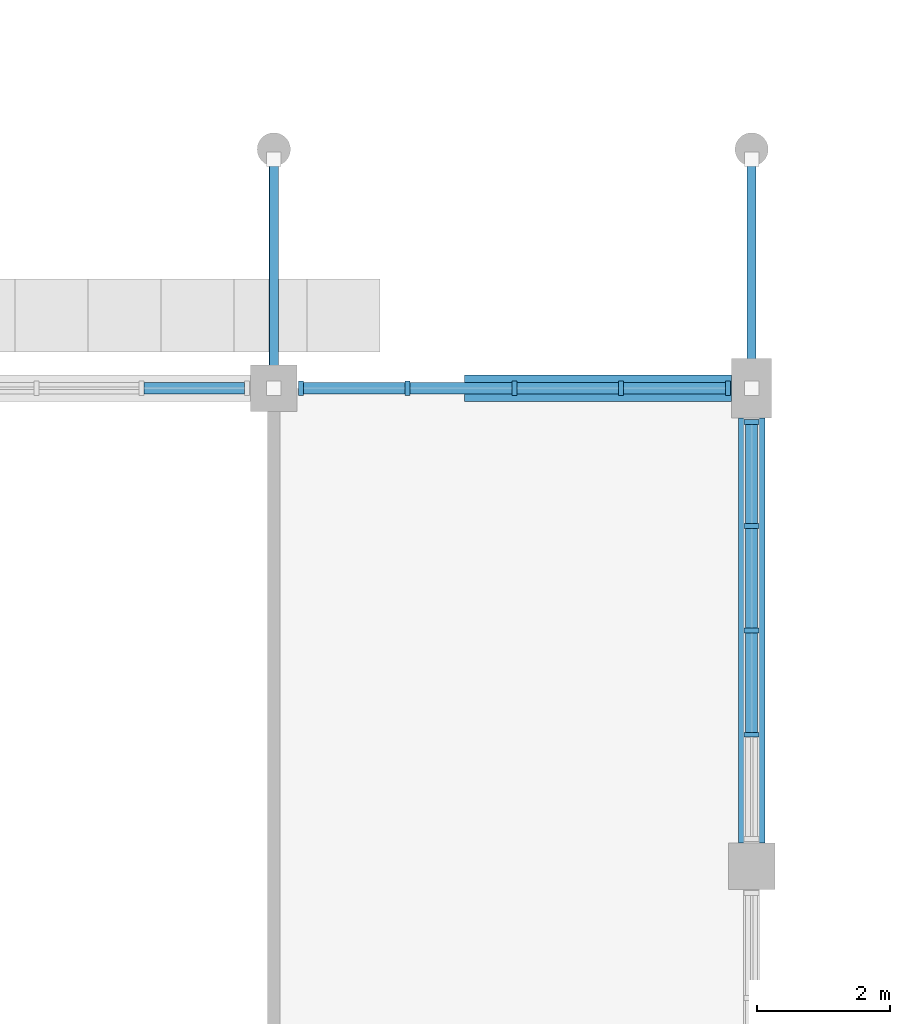
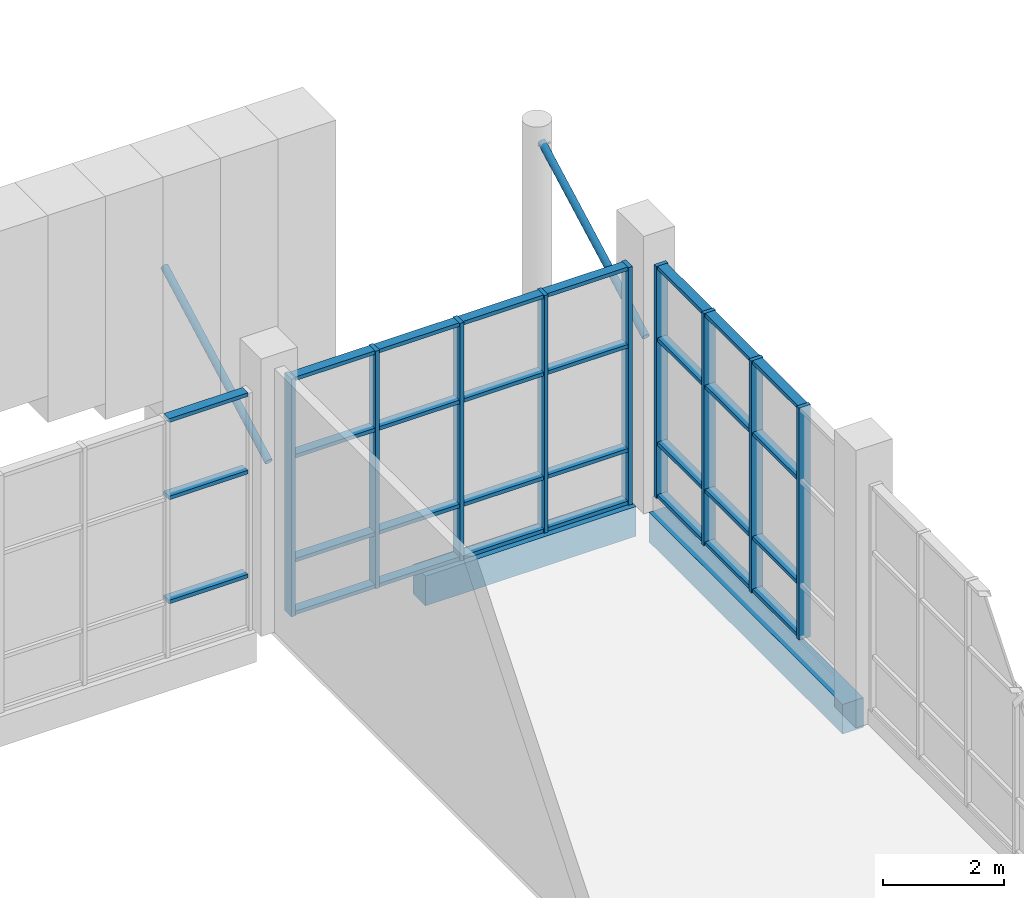
# One storey, part 28 of 80: 42 members, 2 beams, 3 elements without a shape of their own.
"""IFC4 building model written with IfcOpenShell, lengths in metres."""

from ifc_helpers import new_model, si_unit, direction, frame, origin, origin_2d, place, context, subcontext, project, spatial, rectangle, hollow_circle, extrude, material, material_profile, profile_set, type_object, element, aggregate, save


model = new_model("IFC4")

# Units and contexts
model_context = context("Model", 3, precision=1e-05, world=origin(), true_north=direction((0.0, 1.0)))
body_context = subcontext(model_context, "Body", "Model", "MODEL_VIEW")
ifc_project = project(units=[si_unit("LENGTHUNIT", "METRE"), si_unit("AREAUNIT", "SQUARE_METRE"), si_unit("VOLUMEUNIT", "CUBIC_METRE"), si_unit("PLANEANGLEUNIT", "RADIAN"), si_unit("MASSUNIT", "GRAM", prefix="KILO")], contexts=[model_context])

# Site, building, storey
site_placement = place(None, origin())
site = spatial("IfcSite", under=ifc_project, at=site_placement, CompositionType="ELEMENT")
building_placement = place(site_placement, origin())
building = spatial("IfcBuilding", under=site, at=building_placement, Name="Sardonyx Promenade Sports Hall", CompositionType="ELEMENT")
storey_placement = place(building_placement, frame((0.0, 0.0, 5.60009765625)))
storey = spatial("IfcBuildingStorey", under=building, at=storey_placement, Name="L01", CompositionType="ELEMENT", Elevation=5.60009765625)

# Beams
ifc_material_1 = material(Name="Concrete C40/50", Category="concrete")
ifc_material_profile_1 = material_profile(ifc_material_1, rectangle(XDim=0.39990234375, YDim=0.60009765625, at=origin_2d()))
ifc_profile_set_1 = profile_set([ifc_material_profile_1], Name="Concrete C40/50")
beam_type = type_object("IfcBeamType", Name="Bm_Spandrel_RC600", PredefinedType="SPANDREL", material=ifc_profile_set_1)
beam_1_placement = place(storey_placement, frame((103.675048828125, 100.800048828125, -0.300048828125), z_axis=(1.0, 0.0, 0.0), x_axis=(0.0, 1.0, 0.0)))
element("IfcBeam", 1, at=beam_1_placement, inside=storey, type_object=beam_type, Name="Beam SPB1 L01 #290", PredefinedType="SPANDREL", context=body_context, shape_type="SweptSolid", body=[
    extrude(rectangle(XDim=0.39990234375, YDim=0.60009765625, at=origin_2d()), origin(), (0.0, 0.0, 1.0), 4.02490234375),
])
beam_2_placement = place(storey_placement, frame((108.0, 93.949951171875, -0.300048828125), z_axis=(0.0, 1.0, 0.0), x_axis=(-1.0, 0.0, 0.0)))
element("IfcBeam", 2, at=beam_2_placement, inside=storey, type_object=beam_type, Name="Beam SPB1 L01 #391", PredefinedType="SPANDREL", context=body_context, shape_type="SweptSolid", body=[
    extrude(rectangle(XDim=0.39990234375, YDim=0.60009765625, at=origin_2d()), origin(), (0.0, 0.0, 1.0), 6.400146484375),
])

# Curtain wall, members
ifc_material_2 = material(Name="Aluminium 6063-T6", Category="aluminium")
curtain_wall_type = type_object("IfcCurtainWallType", Name="CW_Foyer_L01_Tall", PredefinedType="USERDEFINED", material=ifc_material_2)
curtain_wall_1_placement = place(storey_placement, origin())
curtain_wall_1 = element("IfcCurtainWall", 3, at=curtain_wall_1_placement, inside=storey, type_object=curtain_wall_type, Name="Curtain wall CW02 cw:L01:092", ObjectType="CURTAIN WALL", PredefinedType="USERDEFINED")
ifc_material_3 = material(Name="Aluminium 6063-T6", Category="aluminium")
ifc_material_profile_2 = material_profile(ifc_material_3, rectangle(XDim=0.074951171875, YDim=0.22509765625, at=origin_2d()))
ifc_profile_set_2 = profile_set([ifc_material_profile_2], Name="Aluminium 6063-T6")
member_type_1 = type_object("IfcMemberType", Name="CW_Mull_225", PredefinedType="MULLION", material=ifc_profile_set_2)
member_1_placement = place(storey_placement, frame((101.20751953125, 100.800048828125, 0.0), z_axis=(0.0, 0.0, 1.0), x_axis=(1.0, 0.0, 0.0)))
member_1 = element("IfcMember", 4, at=member_1_placement, type_object=member_type_1, Name="Mullion CM04 cw:L01:092 #1", PredefinedType="MULLION", context=body_context, shape_type="SweptSolid", body=[
    extrude(rectangle(XDim=0.074951171875, YDim=0.22509765625, at=origin_2d()), origin(), (0.0, 0.0, 1.0), 4.7998046875),
])
member_2_placement = place(storey_placement, frame((102.816162109375, 100.800048828125, 0.0), z_axis=(0.0, 0.0, 1.0), x_axis=(1.0, 0.0, 0.0)))
member_2 = element("IfcMember", 5, at=member_2_placement, type_object=member_type_1, Name="Mullion CM04 cw:L01:092 #2", PredefinedType="MULLION", context=body_context, shape_type="SweptSolid", body=[
    extrude(rectangle(XDim=0.074951171875, YDim=0.22509765625, at=origin_2d()), origin(), (0.0, 0.0, 1.0), 4.7998046875),
])
member_3_placement = place(storey_placement, frame((104.425048828125, 100.800048828125, 0.0), z_axis=(0.0, 0.0, 1.0), x_axis=(1.0, 0.0, 0.0)))
member_3 = element("IfcMember", 6, at=member_3_placement, type_object=member_type_1, Name="Mullion CM04 cw:L01:092 #3", PredefinedType="MULLION", context=body_context, shape_type="SweptSolid", body=[
    extrude(rectangle(XDim=0.074951171875, YDim=0.22509765625, at=origin_2d()), origin(), (0.0, 0.0, 1.0), 4.7998046875),
])
member_4_placement = place(storey_placement, frame((106.03369140625, 100.800048828125, 0.0), z_axis=(0.0, 0.0, 1.0), x_axis=(1.0, 0.0, 0.0)))
member_4 = element("IfcMember", 7, at=member_4_placement, type_object=member_type_1, Name="Mullion CM04 cw:L01:092 #4", PredefinedType="MULLION", context=body_context, shape_type="SweptSolid", body=[
    extrude(rectangle(XDim=0.074951171875, YDim=0.22509765625, at=origin_2d()), origin(), (0.0, 0.0, 1.0), 4.7998046875),
])
member_5_placement = place(storey_placement, frame((107.642578125, 100.800048828125, 0.0), z_axis=(0.0, 0.0, 1.0), x_axis=(1.0, 0.0, 0.0)))
member_5 = element("IfcMember", 8, at=member_5_placement, type_object=member_type_1, Name="Mullion CM04 cw:L01:092 #5", PredefinedType="MULLION", context=body_context, shape_type="SweptSolid", body=[
    extrude(rectangle(XDim=0.074951171875, YDim=0.22509765625, at=origin_2d()), origin(), (0.0, 0.0, 1.0), 4.7998046875),
])

curtain_wall_2_placement = place(storey_placement, origin())
curtain_wall_2 = element("IfcCurtainWall", 9, at=curtain_wall_2_placement, inside=storey, type_object=curtain_wall_type, Name="Curtain wall CW02 cw:L01:095", ObjectType="CURTAIN WALL", PredefinedType="USERDEFINED")
member_6_placement = place(storey_placement, frame((108.0, 100.29248046875, 0.2998046875), z_axis=(0.0, 0.0, 1.0), x_axis=(0.0, -1.0, 0.0)))
member_6 = element("IfcMember", 10, at=member_6_placement, type_object=member_type_1, Name="Mullion CM04 cw:L01:095 #1", PredefinedType="MULLION", context=body_context, shape_type="SweptSolid", body=[
    extrude(rectangle(XDim=0.074951171875, YDim=0.22509765625, at=origin_2d()), origin(), (0.0, 0.0, 1.0), 4.68505859375),
])
member_7_placement = place(storey_placement, frame((108.0, 98.72119140625, 0.2998046875), z_axis=(0.0, 0.0, 1.0), x_axis=(0.0, -1.0, 0.0)))
member_7 = element("IfcMember", 11, at=member_7_placement, type_object=member_type_1, Name="Mullion CM04 cw:L01:095 #2", PredefinedType="MULLION", context=body_context, shape_type="SweptSolid", body=[
    extrude(rectangle(XDim=0.074951171875, YDim=0.22509765625, at=origin_2d()), origin(), (0.0, 0.0, 1.0), 4.68505859375),
])
member_8_placement = place(storey_placement, frame((108.0, 97.14990234375, 0.2998046875), z_axis=(0.0, 0.0, 1.0), x_axis=(0.0, -1.0, 0.0)))
member_8 = element("IfcMember", 12, at=member_8_placement, type_object=member_type_1, Name="Mullion CM04 cw:L01:095 #3", PredefinedType="MULLION", context=body_context, shape_type="SweptSolid", body=[
    extrude(rectangle(XDim=0.074951171875, YDim=0.22509765625, at=origin_2d()), origin(), (0.0, 0.0, 1.0), 4.68505859375),
])
member_9_placement = place(storey_placement, frame((108.0, 95.578857421875, 0.2998046875), z_axis=(0.0, 0.0, 1.0), x_axis=(0.0, -1.0, 0.0)))
member_9 = element("IfcMember", 13, at=member_9_placement, type_object=member_type_1, Name="Mullion CM04 cw:L01:095 #4", PredefinedType="MULLION", context=body_context, shape_type="SweptSolid", body=[
    extrude(rectangle(XDim=0.074951171875, YDim=0.22509765625, at=origin_2d()), origin(), (0.0, 0.0, 1.0), 4.68505859375),
])

curtain_wall_3_placement = place(storey_placement, origin())
curtain_wall_3 = element("IfcCurtainWall", 14, at=curtain_wall_3_placement, inside=storey, type_object=curtain_wall_type, Name="Curtain wall CW02 cw:L01:091", ObjectType="CURTAIN WALL", PredefinedType="USERDEFINED")
ifc_material_4 = material(Name="Aluminium 6063-T6", Category="aluminium")
ifc_material_profile_3 = material_profile(ifc_material_4, rectangle(XDim=0.074951171875, YDim=0.179931640625, at=origin_2d()))
ifc_profile_set_3 = profile_set([ifc_material_profile_3], Name="Aluminium 6063-T6")
member_type_2 = type_object("IfcMemberType", Name="CW_Tran_180", PredefinedType="USERDEFINED", material=ifc_profile_set_3)
member_10_placement = place(storey_placement, frame((98.84619140625, 100.800048828125, 1.099853515625), z_axis=(1.0, 0.0, 0.0), x_axis=(0.0, 0.0, 1.0)))
member_10 = element("IfcMember", 15, at=member_10_placement, type_object=member_type_2, Name="Transom CT04 cw:L01:091 #14", ObjectType="TRANSOM", PredefinedType="USERDEFINED", context=body_context, shape_type="SweptSolid", body=[
    extrude(rectangle(XDim=0.074951171875, YDim=0.179931640625, at=origin_2d()), origin(), (0.0, 0.0, 1.0), 1.5087890625),
])
member_11_placement = place(storey_placement, frame((98.84619140625, 100.800048828125, 3.199951171875), z_axis=(1.0, 0.0, 0.0), x_axis=(0.0, 0.0, 1.0)))
member_11 = element("IfcMember", 16, at=member_11_placement, type_object=member_type_2, Name="Transom CT04 cw:L01:091 #15", ObjectType="TRANSOM", PredefinedType="USERDEFINED", context=body_context, shape_type="SweptSolid", body=[
    extrude(rectangle(XDim=0.074951171875, YDim=0.179931640625, at=origin_2d()), origin(), (0.0, 0.0, 1.0), 1.5087890625),
])
member_12_placement = place(storey_placement, frame((98.84619140625, 100.800048828125, 4.762451171875), z_axis=(1.0, 0.0, 0.0), x_axis=(0.0, 0.0, 1.0)))
member_12 = element("IfcMember", 17, at=member_12_placement, type_object=member_type_2, Name="Transom CT04 cw:L01:091 #16", ObjectType="TRANSOM", PredefinedType="USERDEFINED", context=body_context, shape_type="SweptSolid", body=[
    extrude(rectangle(XDim=0.074951171875, YDim=0.179931640625, at=origin_2d()), origin(), (0.0, 0.0, 1.0), 1.5087890625),
])
aggregate(curtain_wall_3, [member_10, member_11, member_12])

# Member
member_13_placement = place(storey_placement, frame((101.2451171875, 100.800048828125, 0.037353515625), z_axis=(1.0, 0.0, 0.0), x_axis=(0.0, 0.0, 1.0)))
member_13 = element("IfcMember", 18, at=member_13_placement, type_object=member_type_2, Name="Transom CT04 cw:L01:092 #1", ObjectType="TRANSOM", PredefinedType="USERDEFINED", context=body_context, shape_type="SweptSolid", body=[
    extrude(rectangle(XDim=0.074951171875, YDim=0.179931640625, at=origin_2d()), origin(), (0.0, 0.0, 1.0), 1.53369140625),
])

member_14_placement = place(storey_placement, frame((101.2451171875, 100.800048828125, 1.099853515625), z_axis=(1.0, 0.0, 0.0), x_axis=(0.0, 0.0, 1.0)))
member_14 = element("IfcMember", 19, at=member_14_placement, type_object=member_type_2, Name="Transom CT04 cw:L01:092 #2", ObjectType="TRANSOM", PredefinedType="USERDEFINED", context=body_context, shape_type="SweptSolid", body=[
    extrude(rectangle(XDim=0.074951171875, YDim=0.179931640625, at=origin_2d()), origin(), (0.0, 0.0, 1.0), 1.53369140625),
])

member_15_placement = place(storey_placement, frame((101.2451171875, 100.800048828125, 3.199951171875), z_axis=(1.0, 0.0, 0.0), x_axis=(0.0, 0.0, 1.0)))
member_15 = element("IfcMember", 20, at=member_15_placement, type_object=member_type_2, Name="Transom CT04 cw:L01:092 #3", ObjectType="TRANSOM", PredefinedType="USERDEFINED", context=body_context, shape_type="SweptSolid", body=[
    extrude(rectangle(XDim=0.074951171875, YDim=0.179931640625, at=origin_2d()), origin(), (0.0, 0.0, 1.0), 1.53369140625),
])

member_16_placement = place(storey_placement, frame((101.2451171875, 100.800048828125, 4.762451171875), z_axis=(1.0, 0.0, 0.0), x_axis=(0.0, 0.0, 1.0)))
member_16 = element("IfcMember", 21, at=member_16_placement, type_object=member_type_2, Name="Transom CT04 cw:L01:092 #4", ObjectType="TRANSOM", PredefinedType="USERDEFINED", context=body_context, shape_type="SweptSolid", body=[
    extrude(rectangle(XDim=0.074951171875, YDim=0.179931640625, at=origin_2d()), origin(), (0.0, 0.0, 1.0), 1.53369140625),
])

member_17_placement = place(storey_placement, frame((102.853759765625, 100.800048828125, 0.037353515625), z_axis=(1.0, 0.0, 0.0), x_axis=(0.0, 0.0, 1.0)))
member_17 = element("IfcMember", 22, at=member_17_placement, type_object=member_type_2, Name="Transom CT04 cw:L01:092 #5", ObjectType="TRANSOM", PredefinedType="USERDEFINED", context=body_context, shape_type="SweptSolid", body=[
    extrude(rectangle(XDim=0.074951171875, YDim=0.179931640625, at=origin_2d()), origin(), (0.0, 0.0, 1.0), 1.53369140625),
])

member_18_placement = place(storey_placement, frame((102.853759765625, 100.800048828125, 1.099853515625), z_axis=(1.0, 0.0, 0.0), x_axis=(0.0, 0.0, 1.0)))
member_18 = element("IfcMember", 23, at=member_18_placement, type_object=member_type_2, Name="Transom CT04 cw:L01:092 #6", ObjectType="TRANSOM", PredefinedType="USERDEFINED", context=body_context, shape_type="SweptSolid", body=[
    extrude(rectangle(XDim=0.074951171875, YDim=0.179931640625, at=origin_2d()), origin(), (0.0, 0.0, 1.0), 1.53369140625),
])

member_19_placement = place(storey_placement, frame((102.853759765625, 100.800048828125, 3.199951171875), z_axis=(1.0, 0.0, 0.0), x_axis=(0.0, 0.0, 1.0)))
member_19 = element("IfcMember", 24, at=member_19_placement, type_object=member_type_2, Name="Transom CT04 cw:L01:092 #7", ObjectType="TRANSOM", PredefinedType="USERDEFINED", context=body_context, shape_type="SweptSolid", body=[
    extrude(rectangle(XDim=0.074951171875, YDim=0.179931640625, at=origin_2d()), origin(), (0.0, 0.0, 1.0), 1.53369140625),
])

member_20_placement = place(storey_placement, frame((102.853759765625, 100.800048828125, 4.762451171875), z_axis=(1.0, 0.0, 0.0), x_axis=(0.0, 0.0, 1.0)))
member_20 = element("IfcMember", 25, at=member_20_placement, type_object=member_type_2, Name="Transom CT04 cw:L01:092 #8", ObjectType="TRANSOM", PredefinedType="USERDEFINED", context=body_context, shape_type="SweptSolid", body=[
    extrude(rectangle(XDim=0.074951171875, YDim=0.179931640625, at=origin_2d()), origin(), (0.0, 0.0, 1.0), 1.53369140625),
])

member_21_placement = place(storey_placement, frame((104.46240234375, 100.800048828125, 0.037353515625), z_axis=(1.0, 0.0, 0.0), x_axis=(0.0, 0.0, 1.0)))
member_21 = element("IfcMember", 26, at=member_21_placement, type_object=member_type_2, Name="Transom CT04 cw:L01:092 #9", ObjectType="TRANSOM", PredefinedType="USERDEFINED", context=body_context, shape_type="SweptSolid", body=[
    extrude(rectangle(XDim=0.074951171875, YDim=0.179931640625, at=origin_2d()), origin(), (0.0, 0.0, 1.0), 1.533935546875),
])

member_22_placement = place(storey_placement, frame((104.46240234375, 100.800048828125, 1.099853515625), z_axis=(1.0, 0.0, 0.0), x_axis=(0.0, 0.0, 1.0)))
member_22 = element("IfcMember", 27, at=member_22_placement, type_object=member_type_2, Name="Transom CT04 cw:L01:092 #10", ObjectType="TRANSOM", PredefinedType="USERDEFINED", context=body_context, shape_type="SweptSolid", body=[
    extrude(rectangle(XDim=0.074951171875, YDim=0.179931640625, at=origin_2d()), origin(), (0.0, 0.0, 1.0), 1.533935546875),
])

member_23_placement = place(storey_placement, frame((104.46240234375, 100.800048828125, 3.199951171875), z_axis=(1.0, 0.0, 0.0), x_axis=(0.0, 0.0, 1.0)))
member_23 = element("IfcMember", 28, at=member_23_placement, type_object=member_type_2, Name="Transom CT04 cw:L01:092 #11", ObjectType="TRANSOM", PredefinedType="USERDEFINED", context=body_context, shape_type="SweptSolid", body=[
    extrude(rectangle(XDim=0.074951171875, YDim=0.179931640625, at=origin_2d()), origin(), (0.0, 0.0, 1.0), 1.533935546875),
])

member_24_placement = place(storey_placement, frame((104.46240234375, 100.800048828125, 4.762451171875), z_axis=(1.0, 0.0, 0.0), x_axis=(0.0, 0.0, 1.0)))
member_24 = element("IfcMember", 29, at=member_24_placement, type_object=member_type_2, Name="Transom CT04 cw:L01:092 #12", ObjectType="TRANSOM", PredefinedType="USERDEFINED", context=body_context, shape_type="SweptSolid", body=[
    extrude(rectangle(XDim=0.074951171875, YDim=0.179931640625, at=origin_2d()), origin(), (0.0, 0.0, 1.0), 1.533935546875),
])

member_25_placement = place(storey_placement, frame((106.0712890625, 100.800048828125, 0.037353515625), z_axis=(1.0, 0.0, 0.0), x_axis=(0.0, 0.0, 1.0)))
member_25 = element("IfcMember", 30, at=member_25_placement, type_object=member_type_2, Name="Transom CT04 cw:L01:092 #13", ObjectType="TRANSOM", PredefinedType="USERDEFINED", context=body_context, shape_type="SweptSolid", body=[
    extrude(rectangle(XDim=0.074951171875, YDim=0.179931640625, at=origin_2d()), origin(), (0.0, 0.0, 1.0), 1.53369140625),
])

member_26_placement = place(storey_placement, frame((106.0712890625, 100.800048828125, 1.099853515625), z_axis=(1.0, 0.0, 0.0), x_axis=(0.0, 0.0, 1.0)))
member_26 = element("IfcMember", 31, at=member_26_placement, type_object=member_type_2, Name="Transom CT04 cw:L01:092 #14", ObjectType="TRANSOM", PredefinedType="USERDEFINED", context=body_context, shape_type="SweptSolid", body=[
    extrude(rectangle(XDim=0.074951171875, YDim=0.179931640625, at=origin_2d()), origin(), (0.0, 0.0, 1.0), 1.53369140625),
])

member_27_placement = place(storey_placement, frame((106.0712890625, 100.800048828125, 3.199951171875), z_axis=(1.0, 0.0, 0.0), x_axis=(0.0, 0.0, 1.0)))
member_27 = element("IfcMember", 32, at=member_27_placement, type_object=member_type_2, Name="Transom CT04 cw:L01:092 #15", ObjectType="TRANSOM", PredefinedType="USERDEFINED", context=body_context, shape_type="SweptSolid", body=[
    extrude(rectangle(XDim=0.074951171875, YDim=0.179931640625, at=origin_2d()), origin(), (0.0, 0.0, 1.0), 1.53369140625),
])

member_28_placement = place(storey_placement, frame((106.0712890625, 100.800048828125, 4.762451171875), z_axis=(1.0, 0.0, 0.0), x_axis=(0.0, 0.0, 1.0)))
member_28 = element("IfcMember", 33, at=member_28_placement, type_object=member_type_2, Name="Transom CT04 cw:L01:092 #16", ObjectType="TRANSOM", PredefinedType="USERDEFINED", context=body_context, shape_type="SweptSolid", body=[
    extrude(rectangle(XDim=0.074951171875, YDim=0.179931640625, at=origin_2d()), origin(), (0.0, 0.0, 1.0), 1.53369140625),
])

aggregate(curtain_wall_1, [member_1, member_2, member_3, member_4, member_5, member_13, member_14, member_15, member_16, member_17, member_18, member_19, member_20, member_21, member_22, member_23, member_24, member_25, member_26, member_27, member_28])

member_29_placement = place(storey_placement, frame((108.0, 100.2548828125, 0.33740234375), z_axis=(0.0, -1.0, 0.0), x_axis=(0.0, 0.0, 1.0)))
member_29 = element("IfcMember", 34, at=member_29_placement, type_object=member_type_2, Name="Transom CT04 cw:L01:095 #1", ObjectType="TRANSOM", PredefinedType="USERDEFINED", context=body_context, shape_type="SweptSolid", body=[
    extrude(rectangle(XDim=0.074951171875, YDim=0.179931640625, at=origin_2d()), origin(), (0.0, 0.0, 1.0), 1.49609375),
])

member_30_placement = place(storey_placement, frame((108.0, 100.2548828125, 1.39990234375), z_axis=(0.0, -1.0, 0.0), x_axis=(0.0, 0.0, 1.0)))
member_30 = element("IfcMember", 35, at=member_30_placement, type_object=member_type_2, Name="Transom CT04 cw:L01:095 #2", ObjectType="TRANSOM", PredefinedType="USERDEFINED", context=body_context, shape_type="SweptSolid", body=[
    extrude(rectangle(XDim=0.074951171875, YDim=0.179931640625, at=origin_2d()), origin(), (0.0, 0.0, 1.0), 1.49609375),
])

member_31_placement = place(storey_placement, frame((108.0, 100.2548828125, 3.5), z_axis=(0.0, -1.0, 0.0), x_axis=(0.0, 0.0, 1.0)))
member_31 = element("IfcMember", 36, at=member_31_placement, type_object=member_type_2, Name="Transom CT04 cw:L01:095 #3", ObjectType="TRANSOM", PredefinedType="USERDEFINED", context=body_context, shape_type="SweptSolid", body=[
    extrude(rectangle(XDim=0.074951171875, YDim=0.179931640625, at=origin_2d()), origin(), (0.0, 0.0, 1.0), 1.49609375),
])

member_32_placement = place(storey_placement, frame((108.0, 100.2548828125, 4.947509765625), z_axis=(0.0, -1.0, 0.0), x_axis=(0.0, 0.0, 1.0)))
member_32 = element("IfcMember", 37, at=member_32_placement, type_object=member_type_2, Name="Transom CT04 cw:L01:095 #4", ObjectType="TRANSOM", PredefinedType="USERDEFINED", context=body_context, shape_type="SweptSolid", body=[
    extrude(rectangle(XDim=0.074951171875, YDim=0.179931640625, at=origin_2d()), origin(), (0.0, 0.0, 1.0), 1.49609375),
])

member_33_placement = place(storey_placement, frame((108.0, 98.683837890625, 0.33740234375), z_axis=(0.0, -1.0, 0.0), x_axis=(0.0, 0.0, 1.0)))
member_33 = element("IfcMember", 38, at=member_33_placement, type_object=member_type_2, Name="Transom CT04 cw:L01:095 #5", ObjectType="TRANSOM", PredefinedType="USERDEFINED", context=body_context, shape_type="SweptSolid", body=[
    extrude(rectangle(XDim=0.074951171875, YDim=0.179931640625, at=origin_2d()), origin(), (0.0, 0.0, 1.0), 1.496337890625),
])

member_34_placement = place(storey_placement, frame((108.0, 98.683837890625, 1.39990234375), z_axis=(0.0, -1.0, 0.0), x_axis=(0.0, 0.0, 1.0)))
member_34 = element("IfcMember", 39, at=member_34_placement, type_object=member_type_2, Name="Transom CT04 cw:L01:095 #6", ObjectType="TRANSOM", PredefinedType="USERDEFINED", context=body_context, shape_type="SweptSolid", body=[
    extrude(rectangle(XDim=0.074951171875, YDim=0.179931640625, at=origin_2d()), origin(), (0.0, 0.0, 1.0), 1.496337890625),
])

member_35_placement = place(storey_placement, frame((108.0, 98.683837890625, 3.5), z_axis=(0.0, -1.0, 0.0), x_axis=(0.0, 0.0, 1.0)))
member_35 = element("IfcMember", 40, at=member_35_placement, type_object=member_type_2, Name="Transom CT04 cw:L01:095 #7", ObjectType="TRANSOM", PredefinedType="USERDEFINED", context=body_context, shape_type="SweptSolid", body=[
    extrude(rectangle(XDim=0.074951171875, YDim=0.179931640625, at=origin_2d()), origin(), (0.0, 0.0, 1.0), 1.496337890625),
])

member_36_placement = place(storey_placement, frame((108.0, 98.683837890625, 4.947509765625), z_axis=(0.0, -1.0, 0.0), x_axis=(0.0, 0.0, 1.0)))
member_36 = element("IfcMember", 41, at=member_36_placement, type_object=member_type_2, Name="Transom CT04 cw:L01:095 #8", ObjectType="TRANSOM", PredefinedType="USERDEFINED", context=body_context, shape_type="SweptSolid", body=[
    extrude(rectangle(XDim=0.074951171875, YDim=0.179931640625, at=origin_2d()), origin(), (0.0, 0.0, 1.0), 1.496337890625),
])

member_37_placement = place(storey_placement, frame((108.0, 97.112548828125, 0.33740234375), z_axis=(0.0, -1.0, 0.0), x_axis=(0.0, 0.0, 1.0)))
member_37 = element("IfcMember", 42, at=member_37_placement, type_object=member_type_2, Name="Transom CT04 cw:L01:095 #9", ObjectType="TRANSOM", PredefinedType="USERDEFINED", context=body_context, shape_type="SweptSolid", body=[
    extrude(rectangle(XDim=0.074951171875, YDim=0.179931640625, at=origin_2d()), origin(), (0.0, 0.0, 1.0), 1.496337890625),
])

member_38_placement = place(storey_placement, frame((108.0, 97.112548828125, 1.39990234375), z_axis=(0.0, -1.0, 0.0), x_axis=(0.0, 0.0, 1.0)))
member_38 = element("IfcMember", 43, at=member_38_placement, type_object=member_type_2, Name="Transom CT04 cw:L01:095 #10", ObjectType="TRANSOM", PredefinedType="USERDEFINED", context=body_context, shape_type="SweptSolid", body=[
    extrude(rectangle(XDim=0.074951171875, YDim=0.179931640625, at=origin_2d()), origin(), (0.0, 0.0, 1.0), 1.496337890625),
])

member_39_placement = place(storey_placement, frame((108.0, 97.112548828125, 3.5), z_axis=(0.0, -1.0, 0.0), x_axis=(0.0, 0.0, 1.0)))
member_39 = element("IfcMember", 44, at=member_39_placement, type_object=member_type_2, Name="Transom CT04 cw:L01:095 #11", ObjectType="TRANSOM", PredefinedType="USERDEFINED", context=body_context, shape_type="SweptSolid", body=[
    extrude(rectangle(XDim=0.074951171875, YDim=0.179931640625, at=origin_2d()), origin(), (0.0, 0.0, 1.0), 1.496337890625),
])

member_40_placement = place(storey_placement, frame((108.0, 97.112548828125, 4.947509765625), z_axis=(0.0, -1.0, 0.0), x_axis=(0.0, 0.0, 1.0)))
member_40 = element("IfcMember", 45, at=member_40_placement, type_object=member_type_2, Name="Transom CT04 cw:L01:095 #12", ObjectType="TRANSOM", PredefinedType="USERDEFINED", context=body_context, shape_type="SweptSolid", body=[
    extrude(rectangle(XDim=0.074951171875, YDim=0.179931640625, at=origin_2d()), origin(), (0.0, 0.0, 1.0), 1.496337890625),
])

aggregate(curtain_wall_2, [member_6, member_7, member_8, member_9, member_29, member_30, member_31, member_32, member_33, member_34, member_35, member_36, member_37, member_38, member_39, member_40])

# Members
ifc_material_5 = material(Name="Steel S355JR", Category="steel")
ifc_material_profile_4 = material_profile(ifc_material_5, hollow_circle(Radius=0.06982421875, WallThickness=0.008056640625, at=origin_2d()))
ifc_profile_set_4 = profile_set([ifc_material_profile_4], Name="Steel S355JR")
member_type_3 = type_object("IfcMemberType", Name="Mbr_Strut_CHS140", PredefinedType="STRUT", material=ifc_profile_set_4)
for number, where, z_axis, x_axis, name in (
    (46, (100.800048828125, 100.800048828125, 3.199951171875), (0.0, 0.881302821437, 0.472551940983), (-1.0, 0.0, 0.0), "Canopy raking strut #4"),
    (47, (108.0, 100.800048828125, 3.199951171875), (0.0, 0.881302821437, 0.472551940983), (-1.0, 0.0, 0.0), "Canopy raking strut #5"),
):
    element("IfcMember", number, at=place(storey_placement, frame(where, z_axis=z_axis, x_axis=x_axis)), inside=storey, type_object=member_type_3, Name=name, PredefinedType="STRUT", context=body_context, shape_type="SweptSolid", body=[
        extrude(hollow_circle(Radius=0.06982421875, WallThickness=0.008056640625, at=origin_2d()), origin(), (0.0, 0.0, 1.0), 3.91455078125),
    ])

save(model, "model.ifc")
